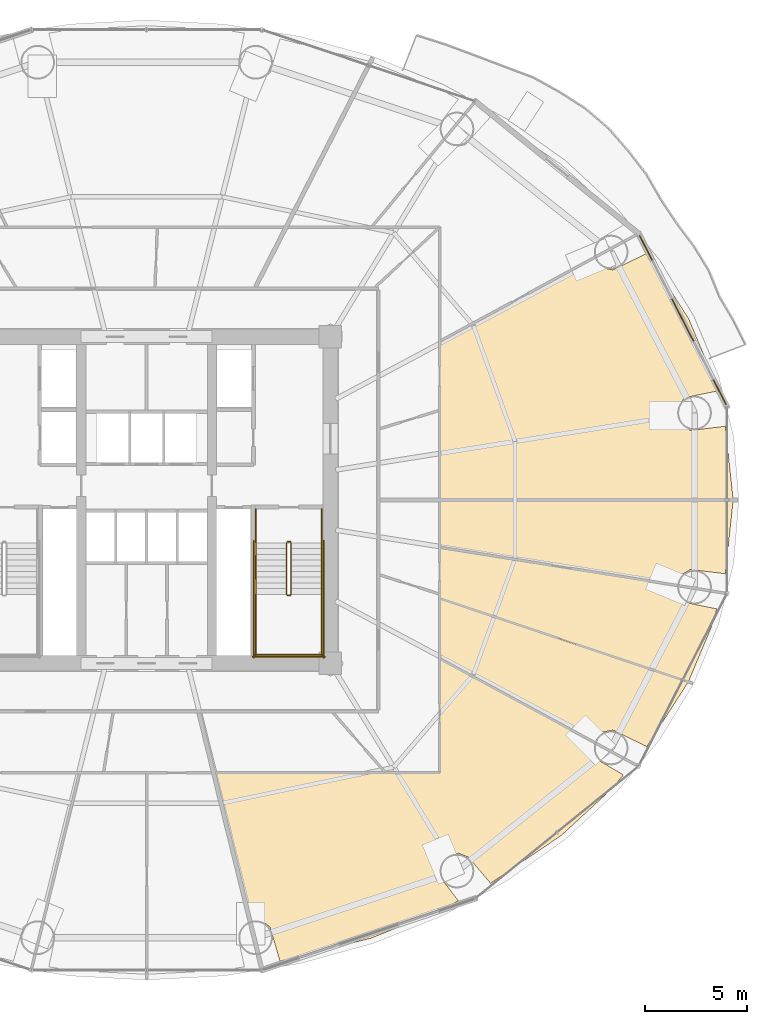
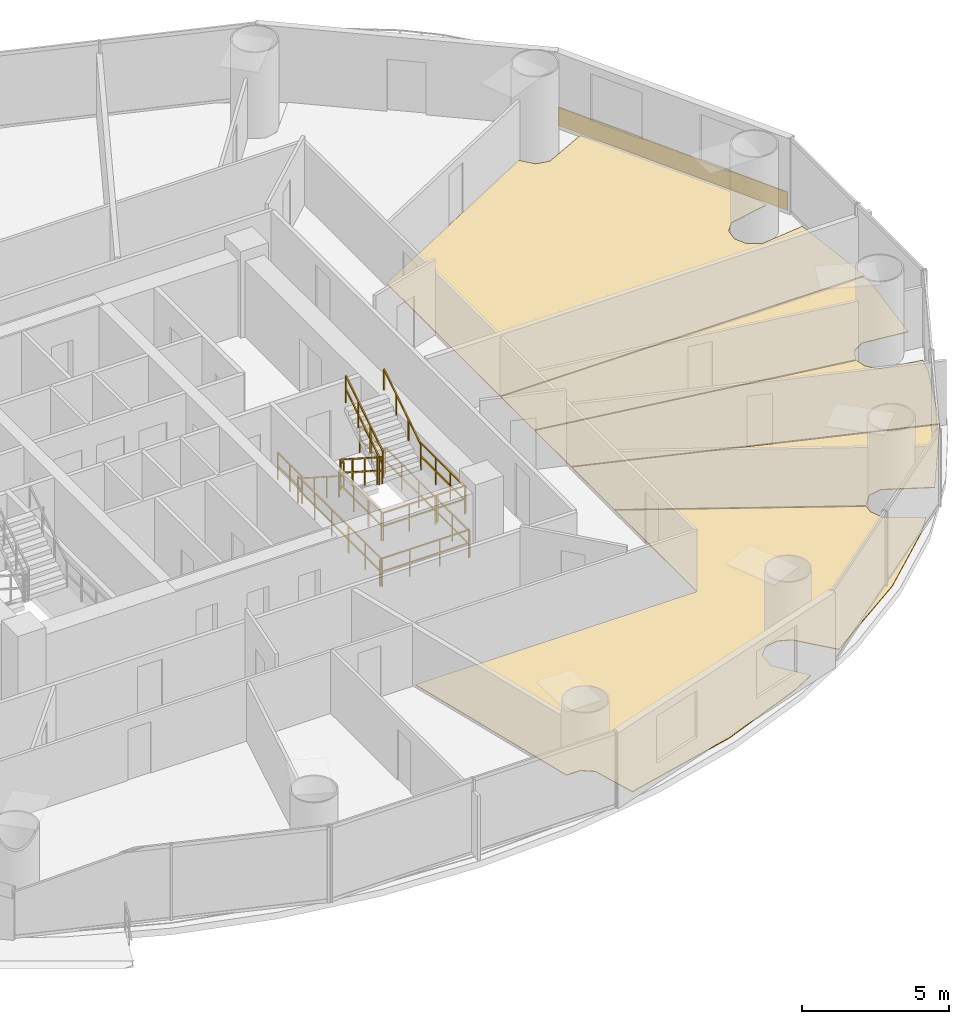
# One storey, part 28 of 29: 14 railings, 6 coverings.
"""IFC4 building model written with IfcOpenShell, lengths in metres."""

from ifc_helpers import new_model, si_unit, direction, frame, origin, origin_2d, place, context, subcontext, project, spatial, polyline, rectangle, outline, extrude, source, transform, mapped, material, layer, layer_set, type_object, element, save


model = new_model("IFC4")

# Units and contexts
model_context = context("Model", 3, precision=1e-05, world=origin(), true_north=direction((-0.2419218956, 0.970295726276)))
body_context = subcontext(model_context, "Body", "Model", "MODEL_VIEW")
ifc_project = project(units=[si_unit("LENGTHUNIT", "METRE"), si_unit("AREAUNIT", "SQUARE_METRE"), si_unit("VOLUMEUNIT", "CUBIC_METRE"), si_unit("PLANEANGLEUNIT", "RADIAN"), si_unit("MASSUNIT", "GRAM", prefix="KILO")], contexts=[model_context])

# Site, building, storey
site_placement = place(None, origin())
site = spatial("IfcSite", under=ifc_project, at=site_placement, CompositionType="ELEMENT")
building_placement = place(site_placement, origin())
building = spatial("IfcBuilding", under=site, at=building_placement, Name="Cobrevalo Terracotta Tower", CompositionType="ELEMENT")
storey_placement = place(building_placement, frame((0.0, 0.0, 70.800048828125)))
storey = spatial("IfcBuildingStorey", under=building, at=storey_placement, Name="L18", CompositionType="ELEMENT", Elevation=70.800048828125)

# Coverings
ifc_material_1 = material(Name="Engineered Brazilian hardwood flooring", Category="wood")
ifc_layer_1 = layer(ifc_material_1, 0.028076171875)
ifc_layer_set_1 = layer_set([ifc_layer_1], Name="Engineered Brazilian hardwood flooring")
covering_type_1 = type_object("IfcCoveringType", Name="Engineered Hardwood Suite Flooring 28", PredefinedType="FLOORING", material=ifc_layer_set_1)
covering_1_placement = place(storey_placement, origin())
element("IfcCovering", 1, at=covering_1_placement, inside=storey, type_object=covering_type_1, Name="Flat L18A Penthouse Living and Dining Room floor finish", PredefinedType="FLOORING", context=body_context, shape_type="SweptSolid", body=[
    extrude(outline(polyline([(64.534423828125, 35.684326171875), (65.74169921875, 32.80859375), (65.909423828125, 32.126220703125), (64.3642578125, 31.81298828125), (64.025146484375, 31.4306640625), (63.955322265625, 30.924560546875), (64.178466796875, 30.465087890625), (64.619384765625, 30.206787109375), (66.331298828125, 30.4111328125), (66.71826171875, 26.820068359375), (52.375, 26.820068359375), (52.375, 34.560791015625), (59.915283203125, 38.643310546875), (60.325439453125, 38.163330078125), (60.826416015625, 38.063232421875), (62.488037109375, 38.87451171875), (64.534423828125, 35.684326171875)])), origin(), (0.0, 0.0, 1.0), 0.030029296875),
])
covering_2_placement = place(storey_placement, origin())
element("IfcCovering", 2, at=covering_2_placement, inside=storey, type_object=covering_type_1, Name="Flat L18E Penthouse Living and Dining Room floor finish", PredefinedType="FLOORING", context=body_context, shape_type="SweptSolid", body=[
    extrude(outline(polyline([(58.3095703125, 10.38232421875), (54.843505859375, 8.03271484375), (53.746826171875, 9.31787109375), (53.27294921875, 9.509033203125), (52.772705078125, 9.40478515625), (52.414794921875, 9.0400390625), (52.35498046875, 8.369140625), (53.26318359375, 7.178955078125), (52.361572265625, 6.691650390625), (48.991943359375, 5.34814453125), (44.527587890625, 4.2255859375), (44.04345703125, 5.89306640625), (43.63330078125, 6.197998046875), (43.075439453125, 6.20703125), (41.3037109375, 13.425048828125), (52.375, 13.425048828125), (52.375, 18.993896484375), (59.90234375, 14.91796875), (59.864990234375, 14.573974609375), (60.060791015625, 14.10205078125), (61.34423828125, 13.341064453125), (60.786376953125, 12.666259765625), (58.3095703125, 10.38232421875)])), origin(), (0.0, 0.0, 1.0), 0.030029296875),
])
covering_3_placement = place(storey_placement, origin())
element("IfcCovering", 3, at=covering_3_placement, inside=storey, type_object=covering_type_1, Name="Flat L18E Master Bedroom floor finish", PredefinedType="FLOORING", context=body_context, shape_type="SweptSolid", body=[
    extrude(outline(polyline([(62.488037109375, 14.7255859375), (60.826416015625, 15.53662109375), (60.325439453125, 15.436767578125), (59.915283203125, 14.95654296875), (52.375, 19.039306640625), (52.375, 21.953857421875), (64.5126953125, 17.8798828125), (62.488037109375, 14.7255859375)])), origin(), (0.0, 0.0, 1.0), 0.030029296875),
])
covering_4_placement = place(storey_placement, origin())
element("IfcCovering", 4, at=covering_4_placement, inside=storey, type_object=covering_type_1, Name="Flat L18E Penthouse Family Lounge floor finish", PredefinedType="FLOORING", context=body_context, shape_type="SweptSolid", body=[
    extrude(outline(polyline([(52.375, 21.99609375), (52.375, 24.462646484375), (63.95068359375, 22.596923828125), (64.025146484375, 22.169189453125), (64.3642578125, 21.787109375), (65.909423828125, 21.473876953125), (65.74169921875, 20.791259765625), (64.531494140625, 17.91552734375), (52.375, 21.99609375)])), origin(), (0.0, 0.0, 1.0), 0.030029296875),
])
covering_5_placement = place(storey_placement, origin())
element("IfcCovering", 5, at=covering_5_placement, inside=storey, type_object=covering_type_1, Name="Flat L18E Penthouse Family Lounge floor finish", PredefinedType="FLOORING", context=body_context, shape_type="SweptSolid", body=[
    extrude(outline(polyline([(66.71826171875, 26.780029296875), (66.331298828125, 23.18896484375), (64.619384765625, 23.39306640625), (64.178466796875, 23.135009765625), (63.952880859375, 22.636962890625), (52.375, 24.503173828125), (52.375, 26.780029296875), (66.71826171875, 26.780029296875)])), origin(), (0.0, 0.0, 1.0), 0.030029296875),
])

# Railings
ifc_material_2 = material(Name="Brushed stainless steel", Category="steel")
railing_type_1 = type_object("IfcRailingType", Name="Stainless Steel Stair Handrail 900", PredefinedType="HANDRAIL", material=ifc_material_2)
railing_1_placement = place(storey_placement, frame((43.35498046875, 24.699951171875, 0.179931640625)))
element("IfcRailing", 6, at=railing_1_placement, inside=storey, type_object=railing_type_1, Name="L18 ST-2 stair handrail 1", PredefinedType="HANDRAIL", context=body_context, shape_type="SweptSolid", body=[
    extrude(rectangle(XDim=0.048095703125, YDim=0.048095703125, at=origin_2d()), frame((0.0, 0.0, 0.8759765625), z_axis=(0.0, -0.841162588446, 0.540782303519), x_axis=(1.0, 0.0, 0.0)), (0.0, 0.0, 1.0), 2.995849609375),
    extrude(rectangle(XDim=0.0419921875, YDim=0.0419921875, at=origin_2d()), origin(), (0.0, 0.0, 1.0), 0.851806640625),
    extrude(rectangle(XDim=0.0419921875, YDim=0.0419921875, at=origin_2d()), frame((0.0, -0.840087890625, 0.5400390625)), (0.0, 0.0, 1.0), 0.851806640625),
    extrude(rectangle(XDim=0.0419921875, YDim=0.0419921875, at=origin_2d()), frame((0.0, -1.679931640625, 1.080078125)), (0.0, 0.0, 1.0), 0.851806640625),
    extrude(rectangle(XDim=0.0419921875, YDim=0.0419921875, at=origin_2d()), frame((0.0, -2.52001953125, 1.6201171875)), (0.0, 0.0, 1.0), 0.851806640625),
])
railing_2_placement = place(storey_placement, frame((46.574951171875, 22.179931640625, 1.97998046875)))
element("IfcRailing", 7, at=railing_2_placement, inside=storey, type_object=railing_type_1, Name="L18 ST-2 stair handrail 2", PredefinedType="HANDRAIL", context=body_context, shape_type="SweptSolid", body=[
    extrude(rectangle(XDim=0.048095703125, YDim=0.048095703125, at=origin_2d()), frame((0.0, 0.0, 0.8759765625), z_axis=(0.0, 0.841199657755, 0.540724639528), x_axis=(-1.0, 0.0, 0.0)), (0.0, 0.0, 1.0), 2.995849609375),
    extrude(rectangle(XDim=0.0419921875, YDim=0.0419921875, at=origin_2d()), origin(), (0.0, 0.0, 1.0), 0.851806640625),
    extrude(rectangle(XDim=0.0419921875, YDim=0.0419921875, at=origin_2d()), frame((0.0, 0.840087890625, 0.5400390625)), (0.0, 0.0, 1.0), 0.851806640625),
    extrude(rectangle(XDim=0.0419921875, YDim=0.0419921875, at=origin_2d()), frame((0.0, 1.679931640625, 1.079833984375)), (0.0, 0.0, 1.0), 0.851806640625),
    extrude(rectangle(XDim=0.0419921875, YDim=0.0419921875, at=origin_2d()), frame((0.0, 2.52001953125, 1.619873046875)), (0.0, 0.0, 1.0), 0.851806640625),
])
ifc_material_3 = material(Name="Painted galvanized steel", Category="steel")
railing_type_2 = type_object("IfcRailingType", Name="Stair Well Guard Balustrade 1150", PredefinedType="GUARDRAIL", material=ifc_material_3)
railing_3_placement = place(storey_placement, frame((44.85498046875, 24.699951171875, 0.179931640625)))
element("IfcRailing", 8, at=railing_3_placement, inside=storey, type_object=railing_type_2, Name="L18 ST-2 stair guard 1", PredefinedType="GUARDRAIL", context=body_context, shape_type="SweptSolid", body=[
    extrude(rectangle(XDim=0.048095703125, YDim=0.048095703125, at=origin_2d()), frame((0.0, 0.0, 1.1259765625), z_axis=(0.0, -0.841162588446, 0.540782303519), x_axis=(1.0, 0.0, 0.0)), (0.0, 0.0, 1.0), 2.995849609375),
    extrude(rectangle(XDim=0.048095703125, YDim=0.048095703125, at=origin_2d()), frame((0.0, 0.0, 0.574951171875), z_axis=(0.0, -0.841162588446, 0.540782303519), x_axis=(1.0, 0.0, 0.0)), (0.0, 0.0, 1.0), 2.995849609375),
    extrude(rectangle(XDim=0.0419921875, YDim=0.0419921875, at=origin_2d()), origin(), (0.0, 0.0, 1.0), 1.101806640625),
    extrude(rectangle(XDim=0.0419921875, YDim=0.0419921875, at=origin_2d()), frame((0.0, -0.840087890625, 0.5400390625)), (0.0, 0.0, 1.0), 1.101806640625),
    extrude(rectangle(XDim=0.0419921875, YDim=0.0419921875, at=origin_2d()), frame((0.0, -1.679931640625, 1.080078125)), (0.0, 0.0, 1.0), 1.101806640625),
    extrude(rectangle(XDim=0.0419921875, YDim=0.0419921875, at=origin_2d()), frame((0.0, -2.52001953125, 1.6201171875)), (0.0, 0.0, 1.0), 1.101806640625),
])
railing_4_placement = place(storey_placement, frame((44.905029296875, 22.1298828125, 1.800048828125)))
element("IfcRailing", 9, at=railing_4_placement, inside=storey, type_object=railing_type_2, Name="L18 ST-2 stair guard 2", PredefinedType="GUARDRAIL", context=body_context, shape_type="SweptSolid", body=[
    extrude(rectangle(XDim=0.048095703125, YDim=0.048095703125, at=origin_2d()), frame((0.0, 0.0, 1.1259765625), z_axis=(1.0, 0.0, 0.0), x_axis=(0.0, 1.0, 0.0)), (0.0, 0.0, 1.0), 0.119873046875),
    extrude(rectangle(XDim=0.048095703125, YDim=0.048095703125, at=origin_2d()), frame((0.0, 0.0, 0.574951171875), z_axis=(1.0, 0.0, 0.0), x_axis=(0.0, 1.0, 0.0)), (0.0, 0.0, 1.0), 0.119873046875),
    extrude(rectangle(XDim=0.0419921875, YDim=0.0419921875, at=origin_2d()), origin(), (0.0, 0.0, 1.0), 1.101806640625),
    extrude(rectangle(XDim=0.0419921875, YDim=0.0419921875, at=origin_2d()), frame((0.119873046875, 0.0, 0.0)), (0.0, 0.0, 1.0), 1.101806640625),
])
for number, where, name in (
    (10, (43.35498046875, 22.179931640625, 1.800048828125), "L18 ST-2 stair guard 3"),
    (11, (46.574951171875, 22.179931640625, 1.800048828125), "L18 ST-2 stair guard 4"),
):
    element("IfcRailing", number, at=place(storey_placement, frame(where)), inside=storey, type_object=railing_type_2, Name=name, PredefinedType="GUARDRAIL", context=body_context, shape_type="SweptSolid", body=[
        extrude(rectangle(XDim=0.048095703125, YDim=0.048095703125, at=origin_2d()), frame((0.0, 0.0, 1.1259765625), z_axis=(0.0, -1.0, 0.0), x_axis=(1.0, 0.0, 0.0)), (0.0, 0.0, 1.0), 3.0048828125),
        extrude(rectangle(XDim=0.048095703125, YDim=0.048095703125, at=origin_2d()), frame((0.0, 0.0, 0.574951171875), z_axis=(0.0, -1.0, 0.0), x_axis=(1.0, 0.0, 0.0)), (0.0, 0.0, 1.0), 3.0048828125),
        extrude(rectangle(XDim=0.0419921875, YDim=0.0419921875, at=origin_2d()), origin(), (0.0, 0.0, 1.0), 1.101806640625),
        extrude(rectangle(XDim=0.0419921875, YDim=0.0419921875, at=origin_2d()), frame((0.0, -1.001708984375, 0.0)), (0.0, 0.0, 1.0), 1.101806640625),
        extrude(rectangle(XDim=0.0419921875, YDim=0.0419921875, at=origin_2d()), frame((0.0, -2.003173828125, 0.0)), (0.0, 0.0, 1.0), 1.101806640625),
        extrude(rectangle(XDim=0.0419921875, YDim=0.0419921875, at=origin_2d()), frame((0.0, -3.0048828125, 0.0)), (0.0, 0.0, 1.0), 1.101806640625),
    ])
railing_5_placement = place(storey_placement, frame((43.304931640625, 19.22509765625, 1.800048828125)))
element("IfcRailing", 12, at=railing_5_placement, inside=storey, type_object=railing_type_2, Name="L18 ST-2 stair guard 5", PredefinedType="GUARDRAIL", context=body_context, shape_type="SweptSolid", body=[
    extrude(rectangle(XDim=0.048095703125, YDim=0.048095703125, at=origin_2d()), frame((0.0, 0.0, 1.1259765625), z_axis=(1.0, 0.0, 0.0), x_axis=(0.0, 1.0, 0.0)), (0.0, 0.0, 1.0), 3.320068359375),
    extrude(rectangle(XDim=0.048095703125, YDim=0.048095703125, at=origin_2d()), frame((0.0, 0.0, 0.574951171875), z_axis=(1.0, 0.0, 0.0), x_axis=(0.0, 1.0, 0.0)), (0.0, 0.0, 1.0), 3.320068359375),
    extrude(rectangle(XDim=0.0419921875, YDim=0.0419921875, at=origin_2d()), origin(), (0.0, 0.0, 1.0), 1.101806640625),
    extrude(rectangle(XDim=0.0419921875, YDim=0.0419921875, at=origin_2d()), frame((1.106689453125, 0.0, 0.0)), (0.0, 0.0, 1.0), 1.101806640625),
    extrude(rectangle(XDim=0.0419921875, YDim=0.0419921875, at=origin_2d()), frame((2.21337890625, 0.0, 0.0)), (0.0, 0.0, 1.0), 1.101806640625),
    extrude(rectangle(XDim=0.0419921875, YDim=0.0419921875, at=origin_2d()), frame((3.320068359375, 0.0, 0.0)), (0.0, 0.0, 1.0), 1.101806640625),
])
railing_6_placement = place(storey_placement, frame((45.074951171875, 22.179931640625, 1.97998046875)))
element("IfcRailing", 13, at=railing_6_placement, inside=storey, type_object=railing_type_2, Name="L18 ST-2 stair guard 6", PredefinedType="GUARDRAIL", context=body_context, shape_type="SweptSolid", body=[
    extrude(rectangle(XDim=0.048095703125, YDim=0.048095703125, at=origin_2d()), frame((0.0, 0.0, 1.1259765625), z_axis=(0.0, 0.841199657755, 0.540724639528), x_axis=(-1.0, 0.0, 0.0)), (0.0, 0.0, 1.0), 2.995849609375),
    extrude(rectangle(XDim=0.048095703125, YDim=0.048095703125, at=origin_2d()), frame((0.0, 0.0, 0.574951171875), z_axis=(0.0, 0.841199657755, 0.540724639528), x_axis=(-1.0, 0.0, 0.0)), (0.0, 0.0, 1.0), 2.995849609375),
    extrude(rectangle(XDim=0.0419921875, YDim=0.0419921875, at=origin_2d()), origin(), (0.0, 0.0, 1.0), 1.101806640625),
    extrude(rectangle(XDim=0.0419921875, YDim=0.0419921875, at=origin_2d()), frame((0.0, 0.840087890625, 0.5400390625)), (0.0, 0.0, 1.0), 1.101806640625),
    extrude(rectangle(XDim=0.0419921875, YDim=0.0419921875, at=origin_2d()), frame((0.0, 1.679931640625, 1.079833984375)), (0.0, 0.0, 1.0), 1.101806640625),
    extrude(rectangle(XDim=0.0419921875, YDim=0.0419921875, at=origin_2d()), frame((0.0, 2.52001953125, 1.619873046875)), (0.0, 0.0, 1.0), 1.101806640625),
])
railing_7_placement = place(storey_placement, frame((44.905029296875, 24.75, 0.0)))
element("IfcRailing", 14, at=railing_7_placement, inside=storey, type_object=railing_type_2, Name="L18 ST-2 stair guard 7", PredefinedType="GUARDRAIL", context=body_context, shape_type="SweptSolid", body=[
    extrude(rectangle(XDim=0.048095703125, YDim=0.048095703125, at=origin_2d()), frame((0.0, 0.0, 1.1259765625), z_axis=(1.0, 0.0, 0.0), x_axis=(0.0, 1.0, 0.0)), (0.0, 0.0, 1.0), 0.119873046875),
    extrude(rectangle(XDim=0.048095703125, YDim=0.048095703125, at=origin_2d()), frame((0.0, 0.0, 0.574951171875), z_axis=(1.0, 0.0, 0.0), x_axis=(0.0, 1.0, 0.0)), (0.0, 0.0, 1.0), 0.119873046875),
    extrude(rectangle(XDim=0.0419921875, YDim=0.0419921875, at=origin_2d()), origin(), (0.0, 0.0, 1.0), 1.101806640625),
    extrude(rectangle(XDim=0.0419921875, YDim=0.0419921875, at=origin_2d()), frame((0.119873046875, 0.0, 0.0)), (0.0, 0.0, 1.0), 1.101806640625),
])
for number, where, name in (
    (15, (43.35498046875, 26.35009765625, 0.0), "L18 ST-2 stair guard 8"),
    (16, (46.574951171875, 26.35009765625, 0.0), "L18 ST-2 stair guard 9"),
):
    element("IfcRailing", number, at=place(storey_placement, frame(where)), inside=storey, type_object=railing_type_2, Name=name, PredefinedType="GUARDRAIL", context=body_context, shape_type="SweptSolid", body=[
        extrude(rectangle(XDim=0.048095703125, YDim=0.048095703125, at=origin_2d()), frame((0.0, 0.0, 1.1259765625), z_axis=(0.0, -1.0, 0.0), x_axis=(1.0, 0.0, 0.0)), (0.0, 0.0, 1.0), 1.650146484375),
        extrude(rectangle(XDim=0.048095703125, YDim=0.048095703125, at=origin_2d()), frame((0.0, 0.0, 0.574951171875), z_axis=(0.0, -1.0, 0.0), x_axis=(1.0, 0.0, 0.0)), (0.0, 0.0, 1.0), 1.650146484375),
        extrude(rectangle(XDim=0.0419921875, YDim=0.0419921875, at=origin_2d()), origin(), (0.0, 0.0, 1.0), 1.101806640625),
        extrude(rectangle(XDim=0.0419921875, YDim=0.0419921875, at=origin_2d()), frame((0.0, -0.8251953125, 0.0)), (0.0, 0.0, 1.0), 1.101806640625),
        extrude(rectangle(XDim=0.0419921875, YDim=0.0419921875, at=origin_2d()), frame((0.0, -1.650146484375, 0.0)), (0.0, 0.0, 1.0), 1.101806640625),
    ])
for number, where, name in (
    (17, (43.2548828125, 24.800048828125, 0.0), "L18 ST-2 stair guard 10"),
    (18, (46.675048828125, 24.800048828125, 0.0), "L18 ST-2 stair guard 11"),
):
    element("IfcRailing", number, at=place(storey_placement, frame(where)), inside=storey, type_object=railing_type_2, Name=name, PredefinedType="GUARDRAIL", context=body_context, shape_type="SweptSolid", body=[
        extrude(rectangle(XDim=0.048095703125, YDim=0.048095703125, at=origin_2d()), frame((0.0, 0.0, 1.1259765625), z_axis=(0.0, -1.0, 0.0), x_axis=(1.0, 0.0, 0.0)), (0.0, 0.0, 1.0), 5.72509765625),
        extrude(rectangle(XDim=0.048095703125, YDim=0.048095703125, at=origin_2d()), frame((0.0, 0.0, 0.574951171875), z_axis=(0.0, -1.0, 0.0), x_axis=(1.0, 0.0, 0.0)), (0.0, 0.0, 1.0), 5.72509765625),
        extrude(rectangle(XDim=0.0419921875, YDim=0.0419921875, at=origin_2d()), origin(), (0.0, 0.0, 1.0), 1.101806640625),
        extrude(rectangle(XDim=0.0419921875, YDim=0.0419921875, at=origin_2d()), frame((0.0, -1.14501953125, 0.0)), (0.0, 0.0, 1.0), 1.101806640625),
        extrude(rectangle(XDim=0.0419921875, YDim=0.0419921875, at=origin_2d()), frame((0.0, -2.2900390625, 0.0)), (0.0, 0.0, 1.0), 1.101806640625),
        extrude(rectangle(XDim=0.0419921875, YDim=0.0419921875, at=origin_2d()), frame((0.0, -3.43505859375, 0.0)), (0.0, 0.0, 1.0), 1.101806640625),
        extrude(rectangle(XDim=0.0419921875, YDim=0.0419921875, at=origin_2d()), frame((0.0, -4.580078125, 0.0)), (0.0, 0.0, 1.0), 1.101806640625),
        extrude(rectangle(XDim=0.0419921875, YDim=0.0419921875, at=origin_2d()), frame((0.0, -5.72509765625, 0.0)), (0.0, 0.0, 1.0), 1.101806640625),
    ])
railing_8_placement = place(storey_placement, frame((43.205078125, 19.125, 0.0)))
element("IfcRailing", 19, at=railing_8_placement, inside=storey, type_object=railing_type_2, Name="L18 ST-2 stair guard 12", PredefinedType="GUARDRAIL", context=body_context, shape_type="SweptSolid", body=[
    extrude(rectangle(XDim=0.048095703125, YDim=0.048095703125, at=origin_2d()), frame((0.0, 0.0, 1.1259765625), z_axis=(1.0, 0.0, 0.0), x_axis=(0.0, 1.0, 0.0)), (0.0, 0.0, 1.0), 3.52001953125),
    extrude(rectangle(XDim=0.048095703125, YDim=0.048095703125, at=origin_2d()), frame((0.0, 0.0, 0.574951171875), z_axis=(1.0, 0.0, 0.0), x_axis=(0.0, 1.0, 0.0)), (0.0, 0.0, 1.0), 3.52001953125),
    extrude(rectangle(XDim=0.0419921875, YDim=0.0419921875, at=origin_2d()), origin(), (0.0, 0.0, 1.0), 1.101806640625),
    extrude(rectangle(XDim=0.0419921875, YDim=0.0419921875, at=origin_2d()), frame((1.17333984375, 0.0, 0.0)), (0.0, 0.0, 1.0), 1.101806640625),
    extrude(rectangle(XDim=0.0419921875, YDim=0.0419921875, at=origin_2d()), frame((2.3466796875, 0.0, 0.0)), (0.0, 0.0, 1.0), 1.101806640625),
    extrude(rectangle(XDim=0.0419921875, YDim=0.0419921875, at=origin_2d()), frame((3.52001953125, 0.0, 0.0)), (0.0, 0.0, 1.0), 1.101806640625),
])

# Covering
ifc_material_4 = material(Name="Glazed terracotta facade cladding tile", Category="masonry")
ifc_layer_2 = layer(ifc_material_4, 0.044921875)
ifc_layer_set_2 = layer_set([ifc_layer_2], Name="Glazed terracotta facade cladding tile")
covering_type_2 = type_object("IfcCoveringType", Name="Architectural terracotta rainscreen spandrel cladding 45 mm", PredefinedType="CLADDING", material=ifc_layer_set_2)
shared_shape = source(origin(), body_context, "Body", "SweptSolid", [
    extrude(rectangle(XDim=9.30224609375, YDim=0.044921875, at=origin_2d()), origin(), (0.0, 0.0, 1.0), 0.760009765625),
])
covering_6_placement = place(storey_placement, frame((64.25048828125, 35.60888671875, 0.0400390625), z_axis=(0.0, 0.0, 1.0), x_axis=(-0.45523102861, 0.890373354605, 0.0)))
element("IfcCovering", 20, at=covering_6_placement, inside=storey, type_object=covering_type_2, Name="L18 terracotta spandrel cladding S01", PredefinedType="CLADDING", context=body_context, shape_type="MappedRepresentation", body=[
    mapped(shared_shape, transform((0.0, 0.0, 0.0), scale=1.0)),
])

save(model, "model.ifc")
